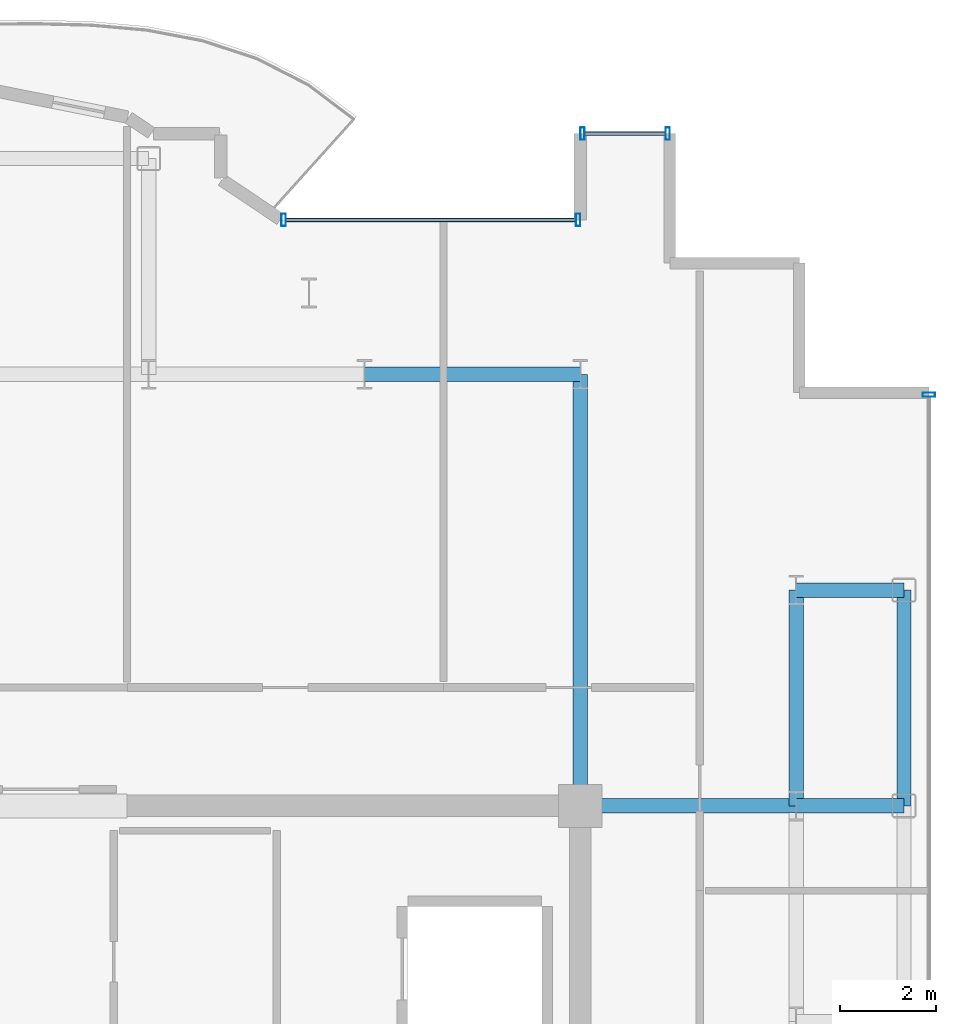
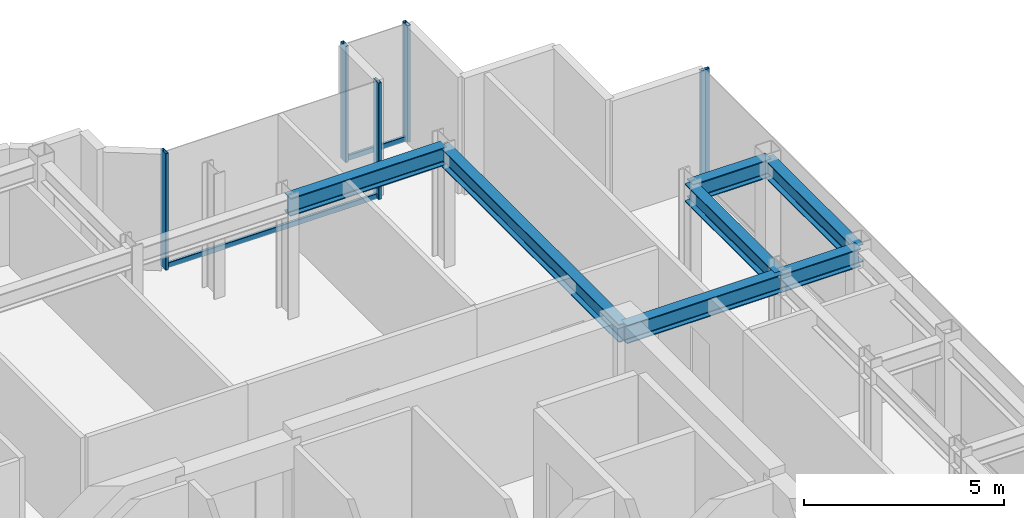
# One storey, part 11 of 18: 7 beams, 7 members, 3 elements without a shape of their own.
"""IFC4 building model written with IfcOpenShell, lengths in metres."""

from ifc_helpers import new_model, si_unit, direction, frame, origin, origin_2d, place, context, subcontext, project, spatial, hollow_rectangle, i_section, extrude, source, transform, mapped, material, layer, layer_set, material_profile, profile_set, type_object, element, aggregate, save


model = new_model("IFC4")

# Units and contexts
model_context = context("Model", 3, precision=1e-05, world=origin(), true_north=direction((0.0, 1.0)))
body_context = subcontext(model_context, "Body", "Model", "MODEL_VIEW")
ifc_project = project(units=[si_unit("LENGTHUNIT", "METRE"), si_unit("AREAUNIT", "SQUARE_METRE"), si_unit("VOLUMEUNIT", "CUBIC_METRE"), si_unit("PLANEANGLEUNIT", "RADIAN"), si_unit("MASSUNIT", "GRAM", prefix="KILO")], contexts=[model_context])

# Site, building, storey
site_placement = place(None, origin())
site = spatial("IfcSite", under=ifc_project, at=site_placement, CompositionType="ELEMENT")
building_placement = place(site_placement, origin())
building = spatial("IfcBuilding", under=site, at=building_placement, Name="Nefas-Gora Pilgrimage Tower", CompositionType="ELEMENT")
storey_placement = place(building_placement, frame((0.0, 0.0, 306.39990234375)))
storey = spatial("IfcBuildingStorey", under=building, at=storey_placement, Name="L77", CompositionType="ELEMENT", Elevation=306.39990234375)

# Beams
ifc_material_1 = material(Name="Steel S355", Category="steel")
ifc_material_profile_1 = material_profile(ifc_material_1, i_section(OverallWidth=0.300048828125, OverallDepth=0.550048828125, WebThickness=0.014892578125, FlangeThickness=0.029052734375, FilletRadius=0.027099609375, at=origin_2d()), Name="HEB 550")
ifc_profile_set_1 = profile_set([ifc_material_profile_1], Name="Steel S355")
beam_type_1 = type_object("IfcBeamType", Name="BM-SPN-HEB400", PredefinedType="SPANDREL", material=ifc_profile_set_1)
shared_shape_1 = source(origin(), body_context, "Body", "SweptSolid", [
    extrude(i_section(OverallWidth=0.300048828125, OverallDepth=0.550048828125, WebThickness=0.014892578125, FlangeThickness=0.029052734375, FilletRadius=0.027099609375, at=origin_2d()), origin(), (0.0, 0.0, 1.0), 4.5),
])
beam_1_placement = place(storey_placement, frame((18.0, 9.0, 3.275146484375), z_axis=(0.0, 1.0, 0.0), x_axis=(-1.0, 0.0, 0.0)))
element("IfcBeam", 1, at=beam_1_placement, inside=storey, type_object=beam_type_1, Name="L77 SP-04 beam", PredefinedType="SPANDREL", context=body_context, shape_type="MappedRepresentation", body=[
    mapped(shared_shape_1, transform((0.0, 0.0, 0.0), x_axis=(1.0, 0.0, 0.0), y_axis=(0.0, 1.0, 0.0), z_axis=(0.0, 0.0, 1.0), scale=1.0)),
])
ifc_material_profile_2 = material_profile(ifc_material_1, i_section(OverallWidth=0.300048828125, OverallDepth=0.550048828125, WebThickness=0.014892578125, FlangeThickness=0.029052734375, FilletRadius=0.027099609375, at=origin_2d()), Name="HEB 550")
ifc_profile_set_2 = profile_set([ifc_material_profile_2], Name="Steel S355")
beam_type_2 = type_object("IfcBeamType", Name="BM-GIR-HEB550", PredefinedType="BEAM", material=ifc_profile_set_2)
shared_shape_2 = source(origin(), body_context, "Body", "SweptSolid", [
    extrude(i_section(OverallWidth=0.300048828125, OverallDepth=0.550048828125, WebThickness=0.014892578125, FlangeThickness=0.029052734375, FilletRadius=0.027099609375, at=origin_2d()), origin(), (0.0, 0.0, 1.0), 9.0),
])
beam_2_placement = place(storey_placement, frame((11.25, 9.0, 3.275146484375), z_axis=(0.0, 1.0, 0.0), x_axis=(-1.0, 0.0, 0.0)))
element("IfcBeam", 2, at=beam_2_placement, inside=storey, type_object=beam_type_2, Name="L77 G-05 beam", PredefinedType="BEAM", context=body_context, shape_type="MappedRepresentation", body=[
    mapped(shared_shape_2, transform((0.0, 0.0, 0.0), x_axis=(1.0, 0.0, 0.0), y_axis=(0.0, 1.0, 0.0), z_axis=(0.0, 0.0, 1.0), scale=1.0)),
])
shared_shape_3 = source(origin(), body_context, "Body", "SweptSolid", [
    extrude(i_section(OverallWidth=0.300048828125, OverallDepth=0.550048828125, WebThickness=0.014892578125, FlangeThickness=0.029052734375, FilletRadius=0.027099609375, at=origin_2d()), origin(), (0.0, 0.0, 1.0), 4.5),
])
for number, where, z_axis, x_axis, name in (
    (3, (6.75, 18.0, 3.275146484375), (1.0, 0.0, 0.0), (0.0, 1.0, 0.0), "L77 G-05 beam"),
    (4, (11.25, 9.0, 3.275146484375), (1.0, 0.0, 0.0), (0.0, 1.0, 0.0), "L77 G-05 beam"),
    (5, (15.75, 9.0, 3.275146484375), (0.0, 1.0, 0.0), (-1.0, 0.0, 0.0), "L77 G-05 beam"),
):
    element("IfcBeam", number, at=place(storey_placement, frame(where, z_axis=z_axis, x_axis=x_axis)), inside=storey, type_object=beam_type_2, Name=name, PredefinedType="BEAM", context=body_context, shape_type="MappedRepresentation", body=[
        mapped(shared_shape_3, transform((0.0, 0.0, 0.0), x_axis=(1.0, 0.0, 0.0), y_axis=(0.0, 1.0, 0.0), z_axis=(0.0, 0.0, 1.0), scale=1.0)),
    ])
shared_shape_4 = source(origin(), body_context, "Body", "SweptSolid", [
    extrude(i_section(OverallWidth=0.300048828125, OverallDepth=0.550048828125, WebThickness=0.014892578125, FlangeThickness=0.029052734375, FilletRadius=0.027099609375, at=origin_2d()), origin(), (0.0, 0.0, 1.0), 2.25),
])
for number, where, z_axis, x_axis, name in (
    (6, (15.75, 9.0, 3.275146484375), (1.0, 0.0, 0.0), (0.0, 1.0, 0.0), "L77 G-05 beam"),
    (7, (15.75, 13.5, 3.275146484375), (1.0, 0.0, 0.0), (0.0, 1.0, 0.0), "L77 G-05 beam"),
):
    element("IfcBeam", number, at=place(storey_placement, frame(where, z_axis=z_axis, x_axis=x_axis)), inside=storey, type_object=beam_type_2, Name=name, PredefinedType="BEAM", context=body_context, shape_type="MappedRepresentation", body=[
        mapped(shared_shape_4, transform((0.0, 0.0, 0.0), x_axis=(1.0, 0.0, 0.0), y_axis=(0.0, 1.0, 0.0), z_axis=(0.0, 0.0, 1.0), scale=1.0)),
    ])

# Curtain wall, members
ifc_material_2 = material(Name="Dark ceramic-fritted solar-control aluminium-glass curtain wall", Category="aluminium")
ifc_layer_1 = layer(ifc_material_2, 0.219970703125)
ifc_layer_set_1 = layer_set([ifc_layer_1], Name="Dark ceramic-fritted solar-control aluminium-glass curtain wall")
curtain_wall_type_1 = type_object("IfcCurtainWallType", Name="CW-SYS-5", PredefinedType="NOTDEFINED", material=ifc_layer_set_1)
curtain_wall_1_placement = place(storey_placement, origin())
curtain_wall_1 = element("IfcCurtainWall", 8, at=curtain_wall_1_placement, inside=storey, type_object=curtain_wall_type_1, Name="L77 Unitised Curtain Wall CW5", PredefinedType="NOTDEFINED")
ifc_material_3 = material(Name="Anodised architectural aluminium", Category="aluminium")
ifc_material_profile_3 = material_profile(ifc_material_3, hollow_rectangle(XDim=0.090087890625, YDim=0.260009765625, WallThickness=0.006103515625, InnerFilletRadius=0.006103515625, OuterFilletRadius=0.011962890625, at=origin_2d()), Name="ALU MULLION 90x260")
ifc_profile_set_3 = profile_set([ifc_material_profile_3], Name="Anodised architectural aluminium")
member_type_1 = type_object("IfcMemberType", Name="CWM-MUL-5", PredefinedType="MULLION", material=ifc_profile_set_3)
shared_shape_5 = source(origin(), body_context, "Body", "SweptSolid", [
    extrude(hollow_rectangle(XDim=0.090087890625, YDim=0.260009765625, WallThickness=0.006103515625, InnerFilletRadius=0.006103515625, OuterFilletRadius=0.011962890625, at=origin_2d()), origin(), (0.0, 0.0, 1.0), 3.550048828125),
])
member_1_placement = place(storey_placement, frame((11.205078125, 21.219970703125, 0.0), z_axis=(0.0, 0.0, 1.0), x_axis=(-1.0, 0.0, 0.0)))
member_1 = element("IfcMember", 9, at=member_1_placement, type_object=member_type_1, Name="CW5 Mullion 1", PredefinedType="MULLION", context=body_context, shape_type="MappedRepresentation", body=[
    mapped(shared_shape_5, transform((0.0, 0.0, 0.0), x_axis=(1.0, 0.0, 0.0), y_axis=(0.0, 1.0, 0.0), z_axis=(0.0, 0.0, 1.0), scale=1.0)),
])
member_2_placement = place(storey_placement, frame((5.06298828125, 21.219970703125, 0.0), z_axis=(0.0, 0.0, 1.0), x_axis=(-1.0, 0.0, 0.0)))
member_2 = element("IfcMember", 10, at=member_2_placement, type_object=member_type_1, Name="CW5 Mullion 2", PredefinedType="MULLION", context=body_context, shape_type="MappedRepresentation", body=[
    mapped(shared_shape_5, transform((0.0, 0.0, 0.0), x_axis=(1.0, 0.0, 0.0), y_axis=(0.0, 1.0, 0.0), z_axis=(0.0, 0.0, 1.0), scale=1.0)),
])
ifc_material_profile_4 = material_profile(ifc_material_3, hollow_rectangle(XDim=0.080078125, YDim=0.159912109375, WallThickness=0.00439453125, InnerFilletRadius=0.00439453125, OuterFilletRadius=0.009033203125, at=origin_2d()), Name="ALU TRANSOM 80x160")
ifc_profile_set_4 = profile_set([ifc_material_profile_4], Name="Anodised architectural aluminium")
member_type_2 = type_object("IfcMemberType", Name="CWM-TRN-5", PredefinedType="USERDEFINED", material=ifc_profile_set_4)
shared_shape_6 = source(origin(), body_context, "Body", "SweptSolid", [
    extrude(hollow_rectangle(XDim=0.080078125, YDim=0.159912109375, WallThickness=0.00439453125, InnerFilletRadius=0.00439453125, OuterFilletRadius=0.009033203125, at=origin_2d()), origin(), (0.0, 0.0, 1.0), 6.052001953125),
])
member_3_placement = place(storey_placement, frame((11.159912109375, 21.219970703125, 0.050048828125), z_axis=(-1.0, 0.0, 0.0), x_axis=(0.0, -1.0, 0.0)))
member_3 = element("IfcMember", 11, at=member_3_placement, type_object=member_type_2, Name="CW5 Spandrel Transom", ObjectType="TRANSOM", PredefinedType="USERDEFINED", context=body_context, shape_type="MappedRepresentation", body=[
    mapped(shared_shape_6, transform((0.0, 0.0, 0.0), x_axis=(1.0, 0.0, 0.0), y_axis=(0.0, 1.0, 0.0), z_axis=(0.0, 0.0, 1.0), scale=1.0)),
])
aggregate(curtain_wall_1, [member_1, member_2, member_3])

# Curtain wall, member
ifc_layer_2 = layer(ifc_material_2, 0.219970703125)
ifc_layer_set_2 = layer_set([ifc_layer_2], Name="Dark ceramic-fritted solar-control aluminium-glass curtain wall")
curtain_wall_type_2 = type_object("IfcCurtainWallType", Name="CW-SYS-4", PredefinedType="NOTDEFINED", material=ifc_layer_set_2)
curtain_wall_2_placement = place(storey_placement, origin())
curtain_wall_2 = element("IfcCurtainWall", 12, at=curtain_wall_2_placement, inside=storey, type_object=curtain_wall_type_2, Name="L77 Unitised Curtain Wall CW4", PredefinedType="NOTDEFINED")
ifc_material_profile_5 = material_profile(ifc_material_3, hollow_rectangle(XDim=0.080078125, YDim=0.159912109375, WallThickness=0.00439453125, InnerFilletRadius=0.00439453125, OuterFilletRadius=0.009033203125, at=origin_2d()), Name="ALU TRANSOM 80x160")
ifc_profile_set_5 = profile_set([ifc_material_profile_5], Name="Anodised architectural aluminium")
member_type_3 = type_object("IfcMemberType", Name="CWM-TRN-4", PredefinedType="USERDEFINED", material=ifc_profile_set_5)
shared_shape_7 = source(origin(), body_context, "Body", "SweptSolid", [
    extrude(hollow_rectangle(XDim=0.080078125, YDim=0.159912109375, WallThickness=0.00439453125, InnerFilletRadius=0.00439453125, OuterFilletRadius=0.009033203125, at=origin_2d()), origin(), (0.0, 0.0, 1.0), 1.68994140625),
])
member_4_placement = place(storey_placement, frame((13.030029296875, 23.02001953125, 0.050048828125), z_axis=(-1.0, 0.0, 0.0), x_axis=(0.0, -1.0, 0.0)))
member_4 = element("IfcMember", 13, at=member_4_placement, type_object=member_type_3, Name="CW4 Spandrel Transom", ObjectType="TRANSOM", PredefinedType="USERDEFINED", context=body_context, shape_type="MappedRepresentation", body=[
    mapped(shared_shape_7, transform((0.0, 0.0, 0.0), x_axis=(1.0, 0.0, 0.0), y_axis=(0.0, 1.0, 0.0), z_axis=(0.0, 0.0, 1.0), scale=1.0)),
])

curtain_wall_3_placement = place(storey_placement, origin())
curtain_wall_3 = element("IfcCurtainWall", 14, at=curtain_wall_3_placement, inside=storey, type_object=curtain_wall_type_2, Name="L77 Unitised Curtain Wall CW4", PredefinedType="NOTDEFINED")
ifc_material_profile_6 = material_profile(ifc_material_3, hollow_rectangle(XDim=0.090087890625, YDim=0.260009765625, WallThickness=0.006103515625, InnerFilletRadius=0.006103515625, OuterFilletRadius=0.011962890625, at=origin_2d()), Name="ALU MULLION 90x260")
ifc_profile_set_6 = profile_set([ifc_material_profile_6], Name="Anodised architectural aluminium")
member_type_4 = type_object("IfcMemberType", Name="CWM-MUL-4", PredefinedType="MULLION", material=ifc_profile_set_6)
shared_shape_8 = source(origin(), body_context, "Body", "SweptSolid", [
    extrude(hollow_rectangle(XDim=0.090087890625, YDim=0.260009765625, WallThickness=0.006103515625, InnerFilletRadius=0.006103515625, OuterFilletRadius=0.011962890625, at=origin_2d()), origin(), (0.0, 0.0, 1.0), 3.550048828125),
])
member_5_placement = place(storey_placement, frame((18.52001953125, 17.574951171875, 0.0), z_axis=(0.0, 0.0, 1.0), x_axis=(0.0, 1.0, 0.0)))
member_5 = element("IfcMember", 15, at=member_5_placement, type_object=member_type_4, Name="CW4 Mullion 3", PredefinedType="MULLION", context=body_context, shape_type="MappedRepresentation", body=[
    mapped(shared_shape_8, transform((0.0, 0.0, 0.0), x_axis=(1.0, 0.0, 0.0), y_axis=(0.0, 1.0, 0.0), z_axis=(0.0, 0.0, 1.0), scale=1.0)),
])
aggregate(curtain_wall_3, [member_5])

# Member
member_6_placement = place(storey_placement, frame((13.074951171875, 23.02001953125, 0.0), z_axis=(0.0, 0.0, 1.0), x_axis=(-1.0, 0.0, 0.0)))
member_6 = element("IfcMember", 16, at=member_6_placement, type_object=member_type_4, Name="CW4 Mullion 1", PredefinedType="MULLION", context=body_context, shape_type="MappedRepresentation", body=[
    mapped(shared_shape_8, transform((0.0, 0.0, 0.0), x_axis=(1.0, 0.0, 0.0), y_axis=(0.0, 1.0, 0.0), z_axis=(0.0, 0.0, 1.0), scale=1.0)),
])

member_7_placement = place(storey_placement, frame((11.294921875, 23.02001953125, 0.0), z_axis=(0.0, 0.0, 1.0), x_axis=(-1.0, 0.0, 0.0)))
member_7 = element("IfcMember", 17, at=member_7_placement, type_object=member_type_4, Name="CW4 Mullion 2", PredefinedType="MULLION", context=body_context, shape_type="MappedRepresentation", body=[
    mapped(shared_shape_8, transform((0.0, 0.0, 0.0), x_axis=(1.0, 0.0, 0.0), y_axis=(0.0, 1.0, 0.0), z_axis=(0.0, 0.0, 1.0), scale=1.0)),
])

aggregate(curtain_wall_2, [member_6, member_7, member_4])

save(model, "model.ifc")
